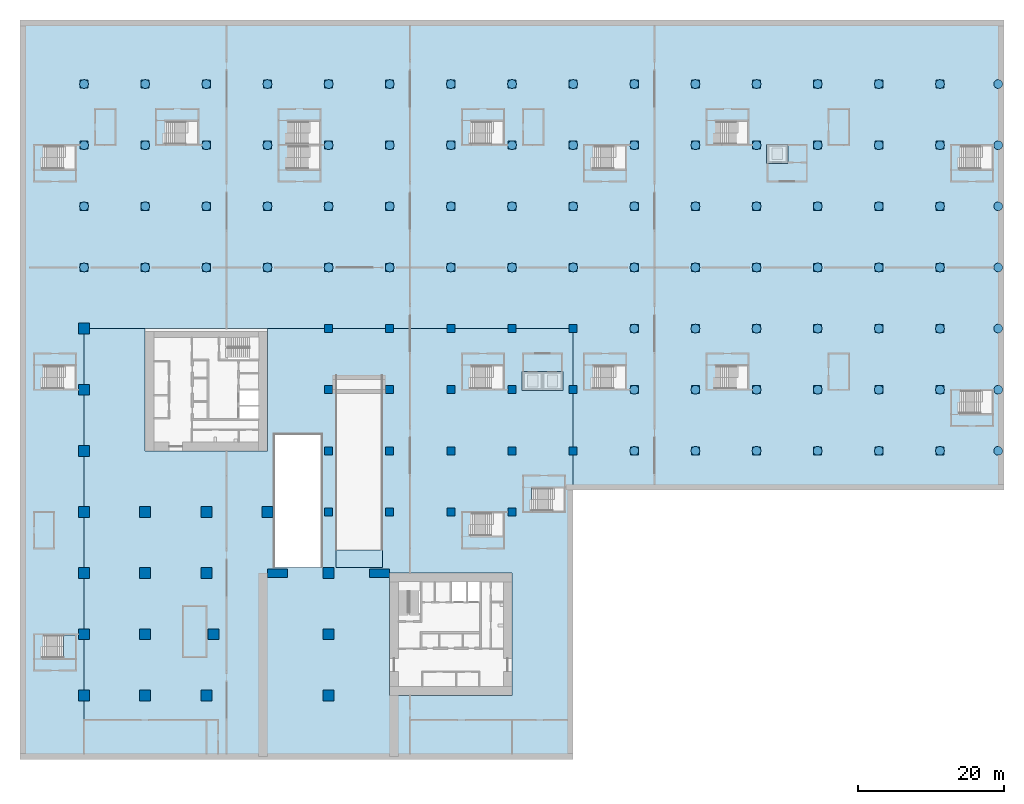
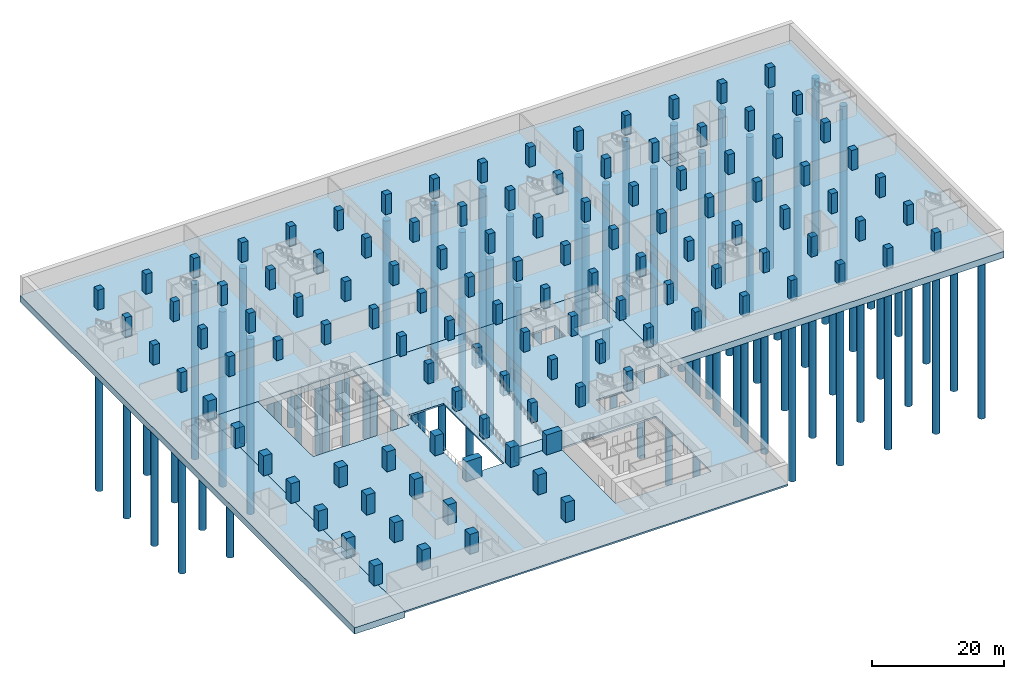
# One storey, part 1 of 19: 118 columns, 85 piles, 3 footings, 3 slabs, 1 element without a shape of its own.
"""IFC4 building model written with IfcOpenShell, lengths in metres."""

from ifc_helpers import new_model, si_unit, direction, frame, origin, origin_2d, place, context, subcontext, project, spatial, polyline, rectangle, circle, outline, extrude, material, layer, layer_set, material_profile, profile_set, type_object, element, aggregate, save


model = new_model("IFC4")

# Units and contexts
model_context = context("Model", 3, precision=1e-05, world=origin(), true_north=direction((0.0, 1.0)))
body_context = subcontext(model_context, "Body", "Model", "MODEL_VIEW")
ifc_project = project(units=[si_unit("LENGTHUNIT", "METRE"), si_unit("AREAUNIT", "SQUARE_METRE"), si_unit("VOLUMEUNIT", "CUBIC_METRE"), si_unit("PLANEANGLEUNIT", "RADIAN"), si_unit("MASSUNIT", "GRAM", prefix="KILO")], contexts=[model_context])

# Site, building, storey
site_placement = place(None, origin())
site = spatial("IfcSite", under=ifc_project, at=site_placement, CompositionType="ELEMENT")
building_placement = place(site_placement, origin())
building = spatial("IfcBuilding", under=site, at=building_placement, Name="Vermilion Gate Residences", CompositionType="ELEMENT")
storey_placement = place(building_placement, frame((0.0, 0.0, -8.0)))
storey = spatial("IfcBuildingStorey", under=building, at=storey_placement, Name="B2", CompositionType="ELEMENT", Elevation=-8.0)

# Piles
ifc_material_1 = material(Name="Concrete C40", Category="concrete")
ifc_material_profile_1 = material_profile(ifc_material_1, circle(Radius=0.60009765625, at=origin_2d()), Name="BORED PILE 1200")
ifc_profile_set_1 = profile_set([ifc_material_profile_1], Name="Concrete C40")
pile_type = type_object("IfcPileType", Name="BORED PILE 1200", PredefinedType="BORED", material=ifc_profile_set_1)
for number, where, z_axis, x_axis, name in (
    (1, (0.0, 67.199951171875, -1.199951171875), (0.0, 0.0, -1.0), (1.0, 0.0, 0.0), "Tension pile T001"),
    (2, (0.0, 75.60009765625, -1.199951171875), (0.0, 0.0, -1.0), (1.0, 0.0, 0.0), "Tension pile T002"),
    (3, (0.0, 84.0, -1.199951171875), (0.0, 0.0, -1.0), (1.0, 0.0, 0.0), "Tension pile T003"),
    (4, (0.0, 92.39990234375, -1.199951171875), (0.0, 0.0, -1.0), (1.0, 0.0, 0.0), "Tension pile T004"),
    (5, (8.39990234375, 67.199951171875, -1.199951171875), (0.0, 0.0, -1.0), (1.0, 0.0, 0.0), "Tension pile T005"),
    (6, (8.39990234375, 75.60009765625, -1.199951171875), (0.0, 0.0, -1.0), (1.0, 0.0, 0.0), "Tension pile T006"),
    (7, (8.39990234375, 84.0, -1.199951171875), (0.0, 0.0, -1.0), (1.0, 0.0, 0.0), "Tension pile T007"),
    (8, (8.39990234375, 92.39990234375, -1.199951171875), (0.0, 0.0, -1.0), (1.0, 0.0, 0.0), "Tension pile T008"),
    (9, (16.800048828125, 67.199951171875, -1.199951171875), (0.0, 0.0, -1.0), (1.0, 0.0, 0.0), "Tension pile T009"),
    (10, (16.800048828125, 75.60009765625, -1.199951171875), (0.0, 0.0, -1.0), (1.0, 0.0, 0.0), "Tension pile T010"),
    (11, (16.800048828125, 84.0, -1.199951171875), (0.0, 0.0, -1.0), (1.0, 0.0, 0.0), "Tension pile T011"),
    (12, (16.800048828125, 92.39990234375, -1.199951171875), (0.0, 0.0, -1.0), (1.0, 0.0, 0.0), "Tension pile T012"),
    (13, (25.199951171875, 67.199951171875, -1.199951171875), (0.0, 0.0, -1.0), (1.0, 0.0, 0.0), "Tension pile T013"),
    (14, (25.199951171875, 75.60009765625, -1.199951171875), (0.0, 0.0, -1.0), (1.0, 0.0, 0.0), "Tension pile T014"),
    (15, (25.199951171875, 84.0, -1.199951171875), (0.0, 0.0, -1.0), (1.0, 0.0, 0.0), "Tension pile T015"),
    (16, (25.199951171875, 92.39990234375, -1.199951171875), (0.0, 0.0, -1.0), (1.0, 0.0, 0.0), "Tension pile T016"),
    (17, (33.60009765625, 67.199951171875, -1.199951171875), (0.0, 0.0, -1.0), (1.0, 0.0, 0.0), "Tension pile T017"),
    (18, (33.60009765625, 75.60009765625, -1.199951171875), (0.0, 0.0, -1.0), (1.0, 0.0, 0.0), "Tension pile T018"),
    (19, (33.60009765625, 84.0, -1.199951171875), (0.0, 0.0, -1.0), (1.0, 0.0, 0.0), "Tension pile T019"),
    (20, (33.60009765625, 92.39990234375, -1.199951171875), (0.0, 0.0, -1.0), (1.0, 0.0, 0.0), "Tension pile T020"),
    (21, (42.0, 67.199951171875, -1.199951171875), (0.0, 0.0, -1.0), (1.0, 0.0, 0.0), "Tension pile T021"),
    (22, (42.0, 75.60009765625, -1.199951171875), (0.0, 0.0, -1.0), (1.0, 0.0, 0.0), "Tension pile T022"),
    (23, (42.0, 84.0, -1.199951171875), (0.0, 0.0, -1.0), (1.0, 0.0, 0.0), "Tension pile T023"),
    (24, (42.0, 92.39990234375, -1.199951171875), (0.0, 0.0, -1.0), (1.0, 0.0, 0.0), "Tension pile T024"),
    (25, (50.39990234375, 67.199951171875, -1.199951171875), (0.0, 0.0, -1.0), (1.0, 0.0, 0.0), "Tension pile T025"),
    (26, (50.39990234375, 75.60009765625, -1.199951171875), (0.0, 0.0, -1.0), (1.0, 0.0, 0.0), "Tension pile T026"),
    (27, (50.39990234375, 84.0, -1.199951171875), (0.0, 0.0, -1.0), (1.0, 0.0, 0.0), "Tension pile T027"),
    (28, (50.39990234375, 92.39990234375, -1.199951171875), (0.0, 0.0, -1.0), (1.0, 0.0, 0.0), "Tension pile T028"),
    (29, (58.800048828125, 67.199951171875, -1.199951171875), (0.0, 0.0, -1.0), (1.0, 0.0, 0.0), "Tension pile T029"),
    (30, (58.800048828125, 75.60009765625, -1.199951171875), (0.0, 0.0, -1.0), (1.0, 0.0, 0.0), "Tension pile T030"),
    (31, (58.800048828125, 84.0, -1.199951171875), (0.0, 0.0, -1.0), (1.0, 0.0, 0.0), "Tension pile T031"),
    (32, (58.800048828125, 92.39990234375, -1.199951171875), (0.0, 0.0, -1.0), (1.0, 0.0, 0.0), "Tension pile T032"),
    (33, (67.199951171875, 67.199951171875, -1.199951171875), (0.0, 0.0, -1.0), (1.0, 0.0, 0.0), "Tension pile T033"),
    (34, (67.199951171875, 75.60009765625, -1.199951171875), (0.0, 0.0, -1.0), (1.0, 0.0, 0.0), "Tension pile T034"),
    (35, (67.199951171875, 84.0, -1.199951171875), (0.0, 0.0, -1.0), (1.0, 0.0, 0.0), "Tension pile T035"),
    (36, (67.199951171875, 92.39990234375, -1.199951171875), (0.0, 0.0, -1.0), (1.0, 0.0, 0.0), "Tension pile T036"),
    (37, (75.60009765625, 42.0, -1.199951171875), (0.0, 0.0, -1.0), (1.0, 0.0, 0.0), "Tension pile T037"),
    (38, (75.60009765625, 50.39990234375, -1.199951171875), (0.0, 0.0, -1.0), (1.0, 0.0, 0.0), "Tension pile T038"),
    (39, (75.60009765625, 58.800048828125, -1.199951171875), (0.0, 0.0, -1.0), (1.0, 0.0, 0.0), "Tension pile T039"),
    (40, (75.60009765625, 67.199951171875, -1.199951171875), (0.0, 0.0, -1.0), (1.0, 0.0, 0.0), "Tension pile T040"),
    (41, (75.60009765625, 75.60009765625, -1.199951171875), (0.0, 0.0, -1.0), (1.0, 0.0, 0.0), "Tension pile T041"),
    (42, (75.60009765625, 84.0, -1.199951171875), (0.0, 0.0, -1.0), (1.0, 0.0, 0.0), "Tension pile T042"),
    (43, (75.60009765625, 92.39990234375, -1.199951171875), (0.0, 0.0, -1.0), (1.0, 0.0, 0.0), "Tension pile T043"),
    (44, (84.0, 42.0, -1.199951171875), (0.0, 0.0, -1.0), (1.0, 0.0, 0.0), "Tension pile T044"),
    (45, (84.0, 50.39990234375, -1.199951171875), (0.0, 0.0, -1.0), (1.0, 0.0, 0.0), "Tension pile T045"),
    (46, (84.0, 58.800048828125, -1.199951171875), (0.0, 0.0, -1.0), (1.0, 0.0, 0.0), "Tension pile T046"),
    (47, (84.0, 67.199951171875, -1.199951171875), (0.0, 0.0, -1.0), (1.0, 0.0, 0.0), "Tension pile T047"),
    (48, (84.0, 75.60009765625, -1.199951171875), (0.0, 0.0, -1.0), (1.0, 0.0, 0.0), "Tension pile T048"),
    (49, (84.0, 84.0, -1.199951171875), (0.0, 0.0, -1.0), (1.0, 0.0, 0.0), "Tension pile T049"),
    (50, (84.0, 92.39990234375, -1.199951171875), (0.0, 0.0, -1.0), (1.0, 0.0, 0.0), "Tension pile T050"),
    (51, (92.39990234375, 42.0, -1.199951171875), (0.0, 0.0, -1.0), (1.0, 0.0, 0.0), "Tension pile T051"),
    (52, (92.39990234375, 50.39990234375, -1.199951171875), (0.0, 0.0, -1.0), (1.0, 0.0, 0.0), "Tension pile T052"),
    (53, (92.39990234375, 58.800048828125, -1.199951171875), (0.0, 0.0, -1.0), (1.0, 0.0, 0.0), "Tension pile T053"),
    (54, (92.39990234375, 67.199951171875, -1.199951171875), (0.0, 0.0, -1.0), (1.0, 0.0, 0.0), "Tension pile T054"),
    (55, (92.39990234375, 75.60009765625, -1.199951171875), (0.0, 0.0, -1.0), (1.0, 0.0, 0.0), "Tension pile T055"),
    (56, (92.39990234375, 84.0, -1.199951171875), (0.0, 0.0, -1.0), (1.0, 0.0, 0.0), "Tension pile T056"),
    (57, (92.39990234375, 92.39990234375, -1.199951171875), (0.0, 0.0, -1.0), (1.0, 0.0, 0.0), "Tension pile T057"),
    (58, (100.800048828125, 42.0, -1.199951171875), (0.0, 0.0, -1.0), (1.0, 0.0, 0.0), "Tension pile T058"),
    (59, (100.800048828125, 50.39990234375, -1.199951171875), (0.0, 0.0, -1.0), (1.0, 0.0, 0.0), "Tension pile T059"),
    (60, (100.800048828125, 58.800048828125, -1.199951171875), (0.0, 0.0, -1.0), (1.0, 0.0, 0.0), "Tension pile T060"),
    (61, (100.800048828125, 67.199951171875, -1.199951171875), (0.0, 0.0, -1.0), (1.0, 0.0, 0.0), "Tension pile T061"),
    (62, (100.800048828125, 75.60009765625, -1.199951171875), (0.0, 0.0, -1.0), (1.0, 0.0, 0.0), "Tension pile T062"),
    (63, (100.800048828125, 84.0, -1.199951171875), (0.0, 0.0, -1.0), (1.0, 0.0, 0.0), "Tension pile T063"),
    (64, (100.800048828125, 92.39990234375, -1.199951171875), (0.0, 0.0, -1.0), (1.0, 0.0, 0.0), "Tension pile T064"),
    (65, (109.199951171875, 42.0, -1.199951171875), (0.0, 0.0, -1.0), (1.0, 0.0, 0.0), "Tension pile T065"),
    (66, (109.199951171875, 50.39990234375, -1.199951171875), (0.0, 0.0, -1.0), (1.0, 0.0, 0.0), "Tension pile T066"),
    (67, (109.199951171875, 58.800048828125, -1.199951171875), (0.0, 0.0, -1.0), (1.0, 0.0, 0.0), "Tension pile T067"),
    (68, (109.199951171875, 67.199951171875, -1.199951171875), (0.0, 0.0, -1.0), (1.0, 0.0, 0.0), "Tension pile T068"),
    (69, (109.199951171875, 75.60009765625, -1.199951171875), (0.0, 0.0, -1.0), (1.0, 0.0, 0.0), "Tension pile T069"),
    (70, (109.199951171875, 84.0, -1.199951171875), (0.0, 0.0, -1.0), (1.0, 0.0, 0.0), "Tension pile T070"),
    (71, (109.199951171875, 92.39990234375, -1.199951171875), (0.0, 0.0, -1.0), (1.0, 0.0, 0.0), "Tension pile T071"),
    (72, (117.60009765625, 42.0, -1.199951171875), (0.0, 0.0, -1.0), (1.0, 0.0, 0.0), "Tension pile T072"),
    (73, (117.60009765625, 50.39990234375, -1.199951171875), (0.0, 0.0, -1.0), (1.0, 0.0, 0.0), "Tension pile T073"),
    (74, (117.60009765625, 58.800048828125, -1.199951171875), (0.0, 0.0, -1.0), (1.0, 0.0, 0.0), "Tension pile T074"),
    (75, (117.60009765625, 67.199951171875, -1.199951171875), (0.0, 0.0, -1.0), (1.0, 0.0, 0.0), "Tension pile T075"),
    (76, (117.60009765625, 75.60009765625, -1.199951171875), (0.0, 0.0, -1.0), (1.0, 0.0, 0.0), "Tension pile T076"),
    (77, (117.60009765625, 84.0, -1.199951171875), (0.0, 0.0, -1.0), (1.0, 0.0, 0.0), "Tension pile T077"),
    (78, (117.60009765625, 92.39990234375, -1.199951171875), (0.0, 0.0, -1.0), (1.0, 0.0, 0.0), "Tension pile T078"),
    (79, (125.60009765625, 42.0, -1.199951171875), (0.0, 0.0, -1.0), (1.0, 0.0, 0.0), "Tension pile T079"),
    (80, (125.60009765625, 50.39990234375, -1.199951171875), (0.0, 0.0, -1.0), (1.0, 0.0, 0.0), "Tension pile T080"),
    (81, (125.60009765625, 58.800048828125, -1.199951171875), (0.0, 0.0, -1.0), (1.0, 0.0, 0.0), "Tension pile T081"),
    (82, (125.60009765625, 67.199951171875, -1.199951171875), (0.0, 0.0, -1.0), (1.0, 0.0, 0.0), "Tension pile T082"),
    (83, (125.60009765625, 75.60009765625, -1.199951171875), (0.0, 0.0, -1.0), (1.0, 0.0, 0.0), "Tension pile T083"),
    (84, (125.60009765625, 84.0, -1.199951171875), (0.0, 0.0, -1.0), (1.0, 0.0, 0.0), "Tension pile T084"),
    (85, (125.60009765625, 92.39990234375, -1.199951171875), (0.0, 0.0, -1.0), (1.0, 0.0, 0.0), "Tension pile T085"),
):
    element("IfcPile", number, at=place(storey_placement, frame(where, z_axis=z_axis, x_axis=x_axis)), inside=storey, type_object=pile_type, Name=name, PredefinedType="BORED", context=body_context, shape_type="SweptSolid", body=[
        extrude(circle(Radius=0.60009765625, at=origin_2d()), origin(), (0.0, 0.0, 1.0), 32.5),
    ])

# Footings
ifc_material_2 = material(Name="Concrete C40", Category="concrete")
ifc_layer_1 = layer(ifc_material_2, 1.199951171875)
ifc_layer_set_1 = layer_set([ifc_layer_1], Name="PILED MAT 1200 C40")
footing_type_1 = type_object("IfcFootingType", Name="PILED MAT 1200 C40", PredefinedType="PILE_CAP", material=ifc_layer_set_1)
footing_1_placement = place(storey_placement, frame((0.0, 0.0, -1.199951171875)))
element("IfcFooting", 86, at=footing_1_placement, inside=storey, type_object=footing_type_1, Name="Garage base slab 1", PredefinedType="PILE_CAP", context=body_context, shape_type="SweptSolid", body=[
    extrude(outline(polyline([(126.39990234375, 101.199951171875), (-8.800048828125, 101.199951171875), (-8.800048828125, -0.39990234375), (0.0, -0.39990234375), (0.0, 58.800048828125), (67.199951171875, 58.800048828125), (67.199951171875, 36.60009765625), (126.39990234375, 36.60009765625), (126.39990234375, 101.199951171875)]), holes=[polyline([(93.800048828125, 81.5), (93.800048828125, 84.10009765625), (96.699951171875, 84.10009765625), (96.699951171875, 81.5), (93.800048828125, 81.5)])]), origin(), (0.0, 0.0, 1.0), 1.199951171875),
])
ifc_material_3 = material(Name="Concrete C40", Category="concrete")
ifc_layer_2 = layer(ifc_material_3, 0.199951171875)
ifc_layer_set_2 = layer_set([ifc_layer_2], Name="PILED MAT PIT 200 C40")
footing_type_2 = type_object("IfcFootingType", Name="PILED MAT PIT 200 C40", PredefinedType="PILE_CAP", material=ifc_layer_set_2)
footing_2_placement = place(storey_placement, frame((0.0, 0.0, -1.199951171875)))
element("IfcFooting", 87, at=footing_2_placement, inside=storey, type_object=footing_type_2, Name="Garage base slab lift pit recess 1", PredefinedType="PILE_CAP", context=body_context, shape_type="SweptSolid", body=[
    extrude(outline(polyline([(60.199951171875, 50.300048828125), (65.800048828125, 50.300048828125), (65.800048828125, 52.89990234375), (60.199951171875, 52.89990234375), (60.199951171875, 50.300048828125)])), origin(), (0.0, 0.0, 1.0), 0.199951171875),
])
footing_3_placement = place(storey_placement, frame((0.0, 0.0, -1.199951171875)))
element("IfcFooting", 88, at=footing_3_placement, inside=storey, type_object=footing_type_2, Name="Garage base slab lift pit recess 2", PredefinedType="PILE_CAP", context=body_context, shape_type="SweptSolid", body=[
    extrude(outline(polyline([(93.800048828125, 81.5), (96.699951171875, 81.5), (96.699951171875, 84.10009765625), (93.800048828125, 84.10009765625), (93.800048828125, 81.5)])), origin(), (0.0, 0.0, 1.0), 0.199951171875),
])

# Columns
ifc_material_4 = material(Name="Concrete C60", Category="concrete")
ifc_material_profile_2 = material_profile(ifc_material_4, rectangle(XDim=1.10009765625, YDim=1.10009765625, at=origin_2d()), Name="RC-1100x1100")
ifc_profile_set_2 = profile_set([ifc_material_profile_2], Name="Concrete C60")
column_type_1 = type_object("IfcColumnType", Name="RC COLUMN 1100 X 1100 C60", PredefinedType="COLUMN", material=ifc_profile_set_2)
for number, where, z_axis, x_axis, name in (
    (89, (33.60009765625, 33.60009765625, 0.0), (0.0, 0.0, 1.0), (1.0, 0.0, 0.0), "Column 5-E B2"),
    (90, (33.60009765625, 42.0, 0.0), (0.0, 0.0, 1.0), (1.0, 0.0, 0.0), "Column 5-F B2"),
    (91, (33.60009765625, 50.39990234375, 0.0), (0.0, 0.0, 1.0), (1.0, 0.0, 0.0), "Column 5-G B2"),
    (92, (33.60009765625, 58.800048828125, 0.0), (0.0, 0.0, 1.0), (1.0, 0.0, 0.0), "Column 5-H B2"),
    (93, (42.0, 33.60009765625, 0.0), (0.0, 0.0, 1.0), (1.0, 0.0, 0.0), "Column 6-E B2"),
    (94, (42.0, 42.0, 0.0), (0.0, 0.0, 1.0), (1.0, 0.0, 0.0), "Column 6-F B2"),
    (95, (42.0, 50.39990234375, 0.0), (0.0, 0.0, 1.0), (1.0, 0.0, 0.0), "Column 6-G B2"),
    (96, (42.0, 58.800048828125, 0.0), (0.0, 0.0, 1.0), (1.0, 0.0, 0.0), "Column 6-H B2"),
    (97, (50.39990234375, 33.60009765625, 0.0), (0.0, 0.0, 1.0), (1.0, 0.0, 0.0), "Column 7-E B2"),
    (98, (50.39990234375, 42.0, 0.0), (0.0, 0.0, 1.0), (1.0, 0.0, 0.0), "Column 7-F B2"),
    (99, (50.39990234375, 50.39990234375, 0.0), (0.0, 0.0, 1.0), (1.0, 0.0, 0.0), "Column 7-G B2"),
    (100, (50.39990234375, 58.800048828125, 0.0), (0.0, 0.0, 1.0), (1.0, 0.0, 0.0), "Column 7-H B2"),
    (101, (58.800048828125, 33.60009765625, 0.0), (0.0, 0.0, 1.0), (1.0, 0.0, 0.0), "Column 8-E B2"),
    (102, (58.800048828125, 42.0, 0.0), (0.0, 0.0, 1.0), (1.0, 0.0, 0.0), "Column 8-F B2"),
    (103, (58.800048828125, 50.39990234375, 0.0), (0.0, 0.0, 1.0), (1.0, 0.0, 0.0), "Column 8-G B2"),
    (104, (58.800048828125, 58.800048828125, 0.0), (0.0, 0.0, 1.0), (1.0, 0.0, 0.0), "Column 8-H B2"),
    (105, (67.199951171875, 42.0, 0.0), (0.0, 0.0, 1.0), (1.0, 0.0, 0.0), "Column 9-F B2"),
    (106, (67.199951171875, 50.39990234375, 0.0), (0.0, 0.0, 1.0), (1.0, 0.0, 0.0), "Column 9-G B2"),
    (107, (67.199951171875, 58.800048828125, 0.0), (0.0, 0.0, 1.0), (1.0, 0.0, 0.0), "Column 9-H B2"),
    (108, (0.0, 67.199951171875, 0.0), (0.0, 0.0, 1.0), (1.0, 0.0, 0.0), "Column 1-J B2"),
    (109, (0.0, 75.60009765625, 0.0), (0.0, 0.0, 1.0), (1.0, 0.0, 0.0), "Column 1-K B2"),
    (110, (0.0, 84.0, 0.0), (0.0, 0.0, 1.0), (1.0, 0.0, 0.0), "Column 1-L B2"),
    (111, (0.0, 92.39990234375, 0.0), (0.0, 0.0, 1.0), (1.0, 0.0, 0.0), "Column 1-M B2"),
    (112, (8.39990234375, 67.199951171875, 0.0), (0.0, 0.0, 1.0), (1.0, 0.0, 0.0), "Column 2-J B2"),
    (113, (8.39990234375, 75.60009765625, 0.0), (0.0, 0.0, 1.0), (1.0, 0.0, 0.0), "Column 2-K B2"),
    (114, (8.39990234375, 84.0, 0.0), (0.0, 0.0, 1.0), (1.0, 0.0, 0.0), "Column 2-L B2"),
    (115, (8.39990234375, 92.39990234375, 0.0), (0.0, 0.0, 1.0), (1.0, 0.0, 0.0), "Column 2-M B2"),
    (116, (16.800048828125, 67.199951171875, 0.0), (0.0, 0.0, 1.0), (1.0, 0.0, 0.0), "Column 3-J B2"),
    (117, (16.800048828125, 75.60009765625, 0.0), (0.0, 0.0, 1.0), (1.0, 0.0, 0.0), "Column 3-K B2"),
    (118, (16.800048828125, 84.0, 0.0), (0.0, 0.0, 1.0), (1.0, 0.0, 0.0), "Column 3-L B2"),
    (119, (16.800048828125, 92.39990234375, 0.0), (0.0, 0.0, 1.0), (1.0, 0.0, 0.0), "Column 3-M B2"),
    (120, (25.199951171875, 67.199951171875, 0.0), (0.0, 0.0, 1.0), (1.0, 0.0, 0.0), "Column 4-J B2"),
    (121, (25.199951171875, 75.60009765625, 0.0), (0.0, 0.0, 1.0), (1.0, 0.0, 0.0), "Column 4-K B2"),
    (122, (25.199951171875, 84.0, 0.0), (0.0, 0.0, 1.0), (1.0, 0.0, 0.0), "Column 4-L B2"),
    (123, (25.199951171875, 92.39990234375, 0.0), (0.0, 0.0, 1.0), (1.0, 0.0, 0.0), "Column 4-M B2"),
    (124, (33.60009765625, 67.199951171875, 0.0), (0.0, 0.0, 1.0), (1.0, 0.0, 0.0), "Column 5-J B2"),
    (125, (33.60009765625, 75.60009765625, 0.0), (0.0, 0.0, 1.0), (1.0, 0.0, 0.0), "Column 5-K B2"),
    (126, (33.60009765625, 84.0, 0.0), (0.0, 0.0, 1.0), (1.0, 0.0, 0.0), "Column 5-L B2"),
    (127, (33.60009765625, 92.39990234375, 0.0), (0.0, 0.0, 1.0), (1.0, 0.0, 0.0), "Column 5-M B2"),
    (128, (42.0, 67.199951171875, 0.0), (0.0, 0.0, 1.0), (1.0, 0.0, 0.0), "Column 6-J B2"),
    (129, (42.0, 75.60009765625, 0.0), (0.0, 0.0, 1.0), (1.0, 0.0, 0.0), "Column 6-K B2"),
    (130, (42.0, 84.0, 0.0), (0.0, 0.0, 1.0), (1.0, 0.0, 0.0), "Column 6-L B2"),
    (131, (42.0, 92.39990234375, 0.0), (0.0, 0.0, 1.0), (1.0, 0.0, 0.0), "Column 6-M B2"),
    (132, (50.39990234375, 67.199951171875, 0.0), (0.0, 0.0, 1.0), (1.0, 0.0, 0.0), "Column 7-J B2"),
    (133, (50.39990234375, 75.60009765625, 0.0), (0.0, 0.0, 1.0), (1.0, 0.0, 0.0), "Column 7-K B2"),
    (134, (50.39990234375, 84.0, 0.0), (0.0, 0.0, 1.0), (1.0, 0.0, 0.0), "Column 7-L B2"),
    (135, (50.39990234375, 92.39990234375, 0.0), (0.0, 0.0, 1.0), (1.0, 0.0, 0.0), "Column 7-M B2"),
    (136, (58.800048828125, 67.199951171875, 0.0), (0.0, 0.0, 1.0), (1.0, 0.0, 0.0), "Column 8-J B2"),
    (137, (58.800048828125, 75.60009765625, 0.0), (0.0, 0.0, 1.0), (1.0, 0.0, 0.0), "Column 8-K B2"),
    (138, (58.800048828125, 84.0, 0.0), (0.0, 0.0, 1.0), (1.0, 0.0, 0.0), "Column 8-L B2"),
    (139, (58.800048828125, 92.39990234375, 0.0), (0.0, 0.0, 1.0), (1.0, 0.0, 0.0), "Column 8-M B2"),
    (140, (67.199951171875, 67.199951171875, 0.0), (0.0, 0.0, 1.0), (1.0, 0.0, 0.0), "Column 9-J B2"),
    (141, (67.199951171875, 75.60009765625, 0.0), (0.0, 0.0, 1.0), (1.0, 0.0, 0.0), "Column 9-K B2"),
    (142, (67.199951171875, 84.0, 0.0), (0.0, 0.0, 1.0), (1.0, 0.0, 0.0), "Column 9-L B2"),
    (143, (67.199951171875, 92.39990234375, 0.0), (0.0, 0.0, 1.0), (1.0, 0.0, 0.0), "Column 9-M B2"),
    (144, (75.60009765625, 42.0, 0.0), (0.0, 0.0, 1.0), (1.0, 0.0, 0.0), "Column 10-F B2"),
    (145, (75.60009765625, 50.39990234375, 0.0), (0.0, 0.0, 1.0), (1.0, 0.0, 0.0), "Column 10-G B2"),
    (146, (75.60009765625, 58.800048828125, 0.0), (0.0, 0.0, 1.0), (1.0, 0.0, 0.0), "Column 10-H B2"),
    (147, (75.60009765625, 67.199951171875, 0.0), (0.0, 0.0, 1.0), (1.0, 0.0, 0.0), "Column 10-J B2"),
    (148, (75.60009765625, 75.60009765625, 0.0), (0.0, 0.0, 1.0), (1.0, 0.0, 0.0), "Column 10-K B2"),
    (149, (75.60009765625, 84.0, 0.0), (0.0, 0.0, 1.0), (1.0, 0.0, 0.0), "Column 10-L B2"),
    (150, (75.60009765625, 92.39990234375, 0.0), (0.0, 0.0, 1.0), (1.0, 0.0, 0.0), "Column 10-M B2"),
    (151, (84.0, 42.0, 0.0), (0.0, 0.0, 1.0), (1.0, 0.0, 0.0), "Column 11-F B2"),
    (152, (84.0, 50.39990234375, 0.0), (0.0, 0.0, 1.0), (1.0, 0.0, 0.0), "Column 11-G B2"),
    (153, (84.0, 58.800048828125, 0.0), (0.0, 0.0, 1.0), (1.0, 0.0, 0.0), "Column 11-H B2"),
    (154, (84.0, 67.199951171875, 0.0), (0.0, 0.0, 1.0), (1.0, 0.0, 0.0), "Column 11-J B2"),
    (155, (84.0, 75.60009765625, 0.0), (0.0, 0.0, 1.0), (1.0, 0.0, 0.0), "Column 11-K B2"),
    (156, (84.0, 84.0, 0.0), (0.0, 0.0, 1.0), (1.0, 0.0, 0.0), "Column 11-L B2"),
    (157, (84.0, 92.39990234375, 0.0), (0.0, 0.0, 1.0), (1.0, 0.0, 0.0), "Column 11-M B2"),
    (158, (92.39990234375, 42.0, 0.0), (0.0, 0.0, 1.0), (1.0, 0.0, 0.0), "Column 12-F B2"),
    (159, (92.39990234375, 50.39990234375, 0.0), (0.0, 0.0, 1.0), (1.0, 0.0, 0.0), "Column 12-G B2"),
    (160, (92.39990234375, 58.800048828125, 0.0), (0.0, 0.0, 1.0), (1.0, 0.0, 0.0), "Column 12-H B2"),
    (161, (92.39990234375, 67.199951171875, 0.0), (0.0, 0.0, 1.0), (1.0, 0.0, 0.0), "Column 12-J B2"),
    (162, (92.39990234375, 75.60009765625, 0.0), (0.0, 0.0, 1.0), (1.0, 0.0, 0.0), "Column 12-K B2"),
    (163, (92.39990234375, 84.0, 0.0), (0.0, 0.0, 1.0), (1.0, 0.0, 0.0), "Column 12-L B2"),
    (164, (92.39990234375, 92.39990234375, 0.0), (0.0, 0.0, 1.0), (1.0, 0.0, 0.0), "Column 12-M B2"),
    (165, (100.800048828125, 42.0, 0.0), (0.0, 0.0, 1.0), (1.0, 0.0, 0.0), "Column 13-F B2"),
    (166, (100.800048828125, 50.39990234375, 0.0), (0.0, 0.0, 1.0), (1.0, 0.0, 0.0), "Column 13-G B2"),
    (167, (100.800048828125, 58.800048828125, 0.0), (0.0, 0.0, 1.0), (1.0, 0.0, 0.0), "Column 13-H B2"),
    (168, (100.800048828125, 67.199951171875, 0.0), (0.0, 0.0, 1.0), (1.0, 0.0, 0.0), "Column 13-J B2"),
    (169, (100.800048828125, 75.60009765625, 0.0), (0.0, 0.0, 1.0), (1.0, 0.0, 0.0), "Column 13-K B2"),
    (170, (100.800048828125, 84.0, 0.0), (0.0, 0.0, 1.0), (1.0, 0.0, 0.0), "Column 13-L B2"),
    (171, (100.800048828125, 92.39990234375, 0.0), (0.0, 0.0, 1.0), (1.0, 0.0, 0.0), "Column 13-M B2"),
    (172, (109.199951171875, 42.0, 0.0), (0.0, 0.0, 1.0), (1.0, 0.0, 0.0), "Column 14-F B2"),
    (173, (109.199951171875, 50.39990234375, 0.0), (0.0, 0.0, 1.0), (1.0, 0.0, 0.0), "Column 14-G B2"),
    (174, (109.199951171875, 58.800048828125, 0.0), (0.0, 0.0, 1.0), (1.0, 0.0, 0.0), "Column 14-H B2"),
    (175, (109.199951171875, 67.199951171875, 0.0), (0.0, 0.0, 1.0), (1.0, 0.0, 0.0), "Column 14-J B2"),
    (176, (109.199951171875, 75.60009765625, 0.0), (0.0, 0.0, 1.0), (1.0, 0.0, 0.0), "Column 14-K B2"),
    (177, (109.199951171875, 84.0, 0.0), (0.0, 0.0, 1.0), (1.0, 0.0, 0.0), "Column 14-L B2"),
    (178, (109.199951171875, 92.39990234375, 0.0), (0.0, 0.0, 1.0), (1.0, 0.0, 0.0), "Column 14-M B2"),
    (179, (117.60009765625, 42.0, 0.0), (0.0, 0.0, 1.0), (1.0, 0.0, 0.0), "Column 15-F B2"),
    (180, (117.60009765625, 50.39990234375, 0.0), (0.0, 0.0, 1.0), (1.0, 0.0, 0.0), "Column 15-G B2"),
    (181, (117.60009765625, 58.800048828125, 0.0), (0.0, 0.0, 1.0), (1.0, 0.0, 0.0), "Column 15-H B2"),
    (182, (117.60009765625, 67.199951171875, 0.0), (0.0, 0.0, 1.0), (1.0, 0.0, 0.0), "Column 15-J B2"),
    (183, (117.60009765625, 75.60009765625, 0.0), (0.0, 0.0, 1.0), (1.0, 0.0, 0.0), "Column 15-K B2"),
    (184, (117.60009765625, 84.0, 0.0), (0.0, 0.0, 1.0), (1.0, 0.0, 0.0), "Column 15-L B2"),
    (185, (117.60009765625, 92.39990234375, 0.0), (0.0, 0.0, 1.0), (1.0, 0.0, 0.0), "Column 15-M B2"),
):
    element("IfcColumn", number, at=place(storey_placement, frame(where, z_axis=z_axis, x_axis=x_axis)), inside=storey, type_object=column_type_1, Name=name, PredefinedType="COLUMN", context=body_context, shape_type="SweptSolid", body=[
        extrude(rectangle(XDim=1.10009765625, YDim=1.10009765625, at=origin_2d()), origin(), (0.0, 0.0, 1.0), 3.699951171875),
    ])
ifc_material_5 = material(Name="Concrete C80", Category="concrete")
ifc_material_profile_3 = material_profile(ifc_material_5, rectangle(XDim=1.5, YDim=1.5, at=origin_2d()), Name="RC-1500x1500")
ifc_profile_set_3 = profile_set([ifc_material_profile_3], Name="Concrete C80")
column_type_2 = type_object("IfcColumnType", Name="RC COLUMN 1500 X 1500 C80", PredefinedType="COLUMN", material=ifc_profile_set_3)
for number, where, z_axis, x_axis, name in (
    (186, (0.0, 8.39990234375, 0.0), (0.0, 0.0, 1.0), (1.0, 0.0, 0.0), "Column 1-B B2"),
    (187, (0.0, 16.800048828125, 0.0), (0.0, 0.0, 1.0), (1.0, 0.0, 0.0), "Column 1-C B2"),
    (188, (0.0, 25.199951171875, 0.0), (0.0, 0.0, 1.0), (1.0, 0.0, 0.0), "Column 1-D B2"),
    (189, (0.0, 33.60009765625, 0.0), (0.0, 0.0, 1.0), (1.0, 0.0, 0.0), "Column 1-E B2"),
    (190, (0.0, 42.0, 0.0), (0.0, 0.0, 1.0), (1.0, 0.0, 0.0), "Column 1-F B2"),
    (191, (0.0, 50.39990234375, 0.0), (0.0, 0.0, 1.0), (1.0, 0.0, 0.0), "Column 1-G B2"),
    (192, (0.0, 58.800048828125, 0.0), (0.0, 0.0, 1.0), (1.0, 0.0, 0.0), "Column 1-H B2"),
    (193, (8.39990234375, 8.39990234375, 0.0), (0.0, 0.0, 1.0), (1.0, 0.0, 0.0), "Column 2-B B2"),
    (194, (8.39990234375, 16.800048828125, 0.0), (0.0, 0.0, 1.0), (1.0, 0.0, 0.0), "Column 2-C B2"),
    (195, (8.39990234375, 25.199951171875, 0.0), (0.0, 0.0, 1.0), (1.0, 0.0, 0.0), "Column 2-D B2"),
    (196, (8.39990234375, 33.60009765625, 0.0), (0.0, 0.0, 1.0), (1.0, 0.0, 0.0), "Column 2-E B2"),
    (197, (16.800048828125, 8.39990234375, 0.0), (0.0, 0.0, 1.0), (1.0, 0.0, 0.0), "Column 3-B B2"),
    (198, (17.800048828125, 16.800048828125, 0.0), (0.0, 0.0, 1.0), (1.0, 0.0, 0.0), "Column 3-C B2"),
    (199, (16.800048828125, 25.199951171875, 0.0), (0.0, 0.0, 1.0), (1.0, 0.0, 0.0), "Column 3-D B2"),
    (200, (16.800048828125, 33.60009765625, 0.0), (0.0, 0.0, 1.0), (1.0, 0.0, 0.0), "Column 3-E B2"),
    (201, (25.199951171875, 33.60009765625, 0.0), (0.0, 0.0, 1.0), (1.0, 0.0, 0.0), "Column 4-E B2"),
    (202, (33.60009765625, 8.39990234375, 0.0), (0.0, 0.0, 1.0), (1.0, 0.0, 0.0), "Column 5-B B2"),
    (203, (33.60009765625, 16.800048828125, 0.0), (0.0, 0.0, 1.0), (1.0, 0.0, 0.0), "Column 5-C B2"),
    (204, (33.60009765625, 25.199951171875, 0.0), (0.0, 0.0, 1.0), (1.0, 0.0, 0.0), "Column 5-D B2"),
):
    element("IfcColumn", number, at=place(storey_placement, frame(where, z_axis=z_axis, x_axis=x_axis)), inside=storey, type_object=column_type_2, Name=name, PredefinedType="COLUMN", context=body_context, shape_type="SweptSolid", body=[
        extrude(rectangle(XDim=1.5, YDim=1.5, at=origin_2d()), origin(), (0.0, 0.0, 1.0), 3.699951171875),
    ])
ifc_material_6 = material(Name="Concrete C80", Category="concrete")
ifc_material_profile_4 = material_profile(ifc_material_6, rectangle(XDim=2.75, YDim=1.199951171875, at=origin_2d()), Name="RC-2750x1200")
ifc_profile_set_4 = profile_set([ifc_material_profile_4], Name="Concrete C80")
column_type_3 = type_object("IfcColumnType", Name="RC COLUMN 2750 X 1200 C80", PredefinedType="COLUMN", material=ifc_profile_set_4)
for number, where, z_axis, x_axis, name in (
    (205, (26.574951171875, 25.199951171875, 0.0), (0.0, 0.0, 1.0), (1.0, 0.0, 0.0), "Portal leg column W B2"),
    (206, (40.625, 25.199951171875, 0.0), (0.0, 0.0, 1.0), (1.0, 0.0, 0.0), "Portal leg column E B2"),
):
    element("IfcColumn", number, at=place(storey_placement, frame(where, z_axis=z_axis, x_axis=x_axis)), inside=storey, type_object=column_type_3, Name=name, PredefinedType="COLUMN", context=body_context, shape_type="SweptSolid", body=[
        extrude(rectangle(XDim=2.75, YDim=1.199951171875, at=origin_2d()), origin(), (0.0, 0.0, 1.0), 3.699951171875),
    ])

# Slab
ifc_material_7 = material(Name="Concrete C50", Category="concrete")
ifc_layer_3 = layer(ifc_material_7, 0.300048828125)
ifc_layer_set_3 = layer_set([ifc_layer_3], Name="RC FLAT PLATE 300 C50")
slab_type_1 = type_object("IfcSlabType", Name="RC FLAT PLATE 300 C50", PredefinedType="FLOOR", material=ifc_layer_set_3)
slab_1_placement = place(storey_placement, frame((0.0, 0.0, -0.300048828125)))
element("IfcSlab", 207, at=slab_1_placement, inside=storey, type_object=slab_type_1, Name="Basement slab B2", PredefinedType="FLOOR", context=body_context, shape_type="SweptSolid", body=[
    extrude(outline(polyline([(25.199951171875, 42.0), (8.39990234375, 42.0), (8.39990234375, 58.800048828125), (0.0, 58.800048828125), (0.0, -0.39990234375), (67.199951171875, -0.39990234375), (67.199951171875, 58.800048828125), (25.199951171875, 58.800048828125), (25.199951171875, 42.0)]), holes=[polyline([(66.0, 36.89990234375), (66.0, 33.699951171875), (61.5, 33.699951171875), (61.5, 36.89990234375), (66.0, 36.89990234375)]), polyline([(58.800048828125, 8.39990234375), (42.0, 8.39990234375), (42.0, 25.199951171875), (58.800048828125, 25.199951171875), (58.800048828125, 8.39990234375)]), polyline([(53.10009765625, 30.300048828125), (53.10009765625, 33.5), (57.60009765625, 33.5), (57.60009765625, 30.300048828125), (53.10009765625, 30.300048828125)]), polyline([(53.10009765625, 53.699951171875), (57.60009765625, 53.699951171875), (57.60009765625, 50.5), (53.10009765625, 50.5), (53.10009765625, 53.699951171875)]), polyline([(32.60009765625, 26.0), (26.199951171875, 26.0), (26.199951171875, 44.300048828125), (32.60009765625, 44.300048828125), (32.60009765625, 26.0)])]), origin(), (0.0, 0.0, 1.0), 0.300048828125),
])

# Stair, slab
ifc_material_8 = material(Name="Concrete C30", Category="concrete")
stair_type = type_object("IfcStairType", Name="ESCAPE STAIR 1200 (AMENITY)", PredefinedType="HALF_TURN_STAIR", material=ifc_material_8)
stair_placement = place(storey_placement, origin())
stair = element("IfcStair", 208, at=stair_placement, inside=storey, type_object=stair_type, Name="Garage escape stair 1 B2 to B1", PredefinedType="HALF_TURN_STAIR")
ifc_material_9 = material(Name="Concrete C35", Category="concrete")
ifc_layer_4 = layer(ifc_material_9, 0.199951171875)
ifc_layer_set_4 = layer_set([ifc_layer_4], Name="STAIR LANDING 200 (AMENITY)")
slab_type_2 = type_object("IfcSlabType", Name="STAIR LANDING 200 (AMENITY)", PredefinedType="LANDING", material=ifc_layer_set_4)
slab_2_placement = place(storey_placement, frame((0.0, 0.0, 1.886962890625)))
slab_2 = element("IfcSlab", 209, at=slab_2_placement, type_object=slab_type_2, Name="STG1 landing 1", PredefinedType="LANDING", context=body_context, shape_type="SweptSolid", body=[
    extrude(outline(polyline([(-2.840087890625, 13.5), (-1.199951171875, 13.5), (-1.199951171875, 16.699951171875), (-2.840087890625, 16.699951171875), (-2.840087890625, 13.5)])), origin(), (0.0, 0.0, 1.0), 0.199951171875),
])
aggregate(stair, [slab_2])

# Slab
ifc_material_10 = material(Name="Concrete C40", Category="concrete")
ifc_layer_5 = layer(ifc_material_10, 0.280029296875)
ifc_layer_set_5 = layer_set([ifc_layer_5], Name="VEHICLE RAMP SLAB 280 C40 (AMENITY)")
slab_type_3 = type_object("IfcSlabType", Name="VEHICLE RAMP SLAB 280 C40 (AMENITY)", PredefinedType="USERDEFINED", material=ifc_layer_set_5)
slab_3_placement = place(storey_placement, frame((37.800048828125, 28.39990234375, 0.199951171875), z_axis=(0.0, 0.0, 1.0), x_axis=(0.0, -1.0, 0.0)))
element("IfcSlab", 210, at=slab_3_placement, inside=storey, type_object=slab_type_3, Name="Ramp 2 exit transition", ObjectType="VEHICLE RAMP SLAB", PredefinedType="USERDEFINED", context=body_context, shape_type="SweptSolid", body=[
    extrude(outline(polyline([(0.0, 0.0), (2.39990234375, -0.199951171875), (2.39990234375, -0.48095703125), (0.0, -0.281005859375), (0.0, 0.0)])), frame((0.0, 3.199951171875, 0.0), z_axis=(0.0, -1.0, 0.0), x_axis=(1.0, 0.0, 0.0)), (0.0, 0.0, 1.0), 6.39990234375),
])

save(model, "model.ifc")
